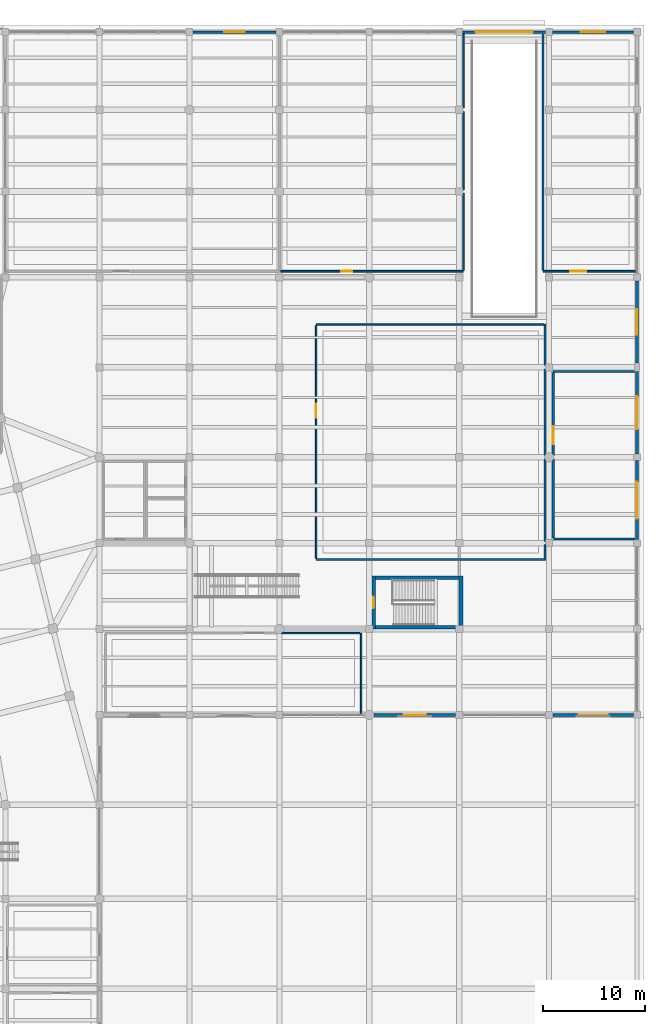
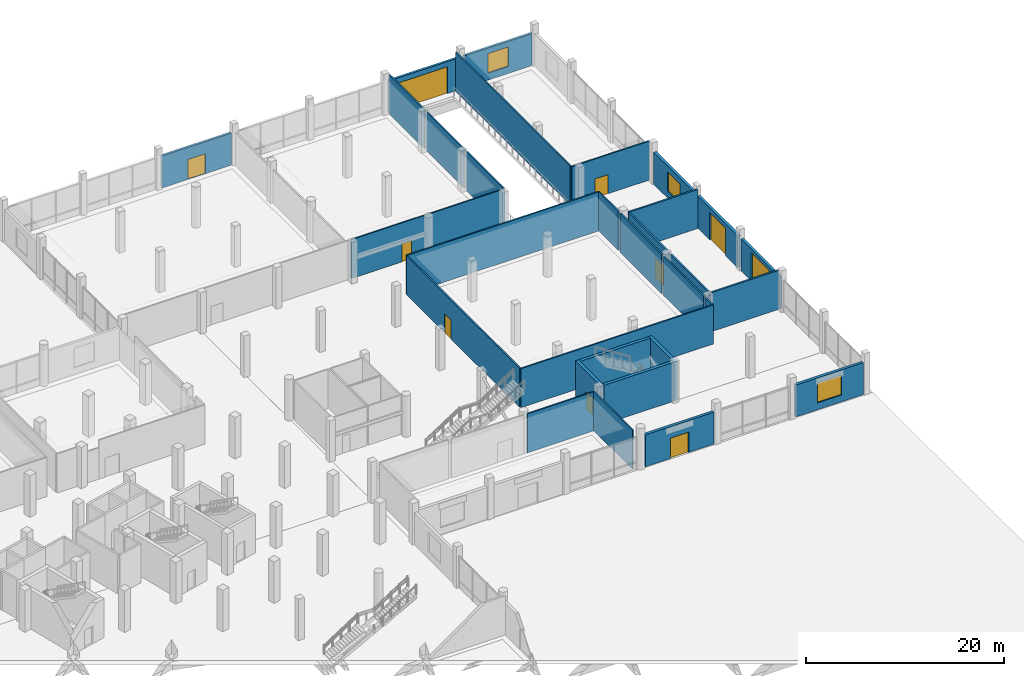
# One storey, part 64 of 73: 31 walls, 10 doors, 3 windows, 13 openings.
"""IFC4 building model written with IfcOpenShell, lengths in metres."""

from ifc_helpers import new_model, si_unit, direction, frame, frame_2d, origin, place, context, subcontext, project, spatial, rectangle, extrude, material, layer, layer_set, type_object, element, fill, save


model = new_model("IFC4")

# Units and contexts
model_context = context("Model", 3, precision=1e-05, world=origin(), true_north=direction((0.0, 1.0)))
body_context = subcontext(model_context, "Body", "Model", "MODEL_VIEW")
ifc_project = project(units=[si_unit("LENGTHUNIT", "METRE"), si_unit("AREAUNIT", "SQUARE_METRE"), si_unit("VOLUMEUNIT", "CUBIC_METRE"), si_unit("PLANEANGLEUNIT", "RADIAN"), si_unit("MASSUNIT", "GRAM", prefix="KILO")], contexts=[model_context])

# Site, building, storey
site_placement = place(None, origin())
site = spatial("IfcSite", under=ifc_project, at=site_placement, CompositionType="ELEMENT")
building_placement = place(site_placement, origin())
building = spatial("IfcBuilding", under=site, at=building_placement, Name="Meriwether Solvik Hall", CompositionType="ELEMENT")
storey_placement = place(building_placement, origin())
storey = spatial("IfcBuildingStorey", under=building, at=storey_placement, Name="L00", CompositionType="ELEMENT", Elevation=0.0)

# Walls
ifc_material_1 = material(Name="Double-Layer Acoustic Gypsum Board", Category="gypsum")
ifc_layer_1 = layer(ifc_material_1, 0.1650390625)
ifc_layer_set_1 = layer_set([ifc_layer_1], Name="Double-Layer Acoustic Gypsum Board")
wall_type_1 = type_object("IfcWallType", Name="WALL-DEM-165", PredefinedType="PARTITIONING", material=ifc_layer_set_1)
wall_1_placement = place(storey_placement, frame((135.39990234375, 65.199951171875, 0.0), z_axis=(0.0, 0.0, 1.0), x_axis=(1.0, 0.0, 0.0)))
element("IfcWall", 1, at=wall_1_placement, inside=storey, type_object=wall_type_1, Name="L00 Interior Partition av_ctrl_s", PredefinedType="PARTITIONING", context=body_context, shape_type="SweptSolid", body=[
    extrude(rectangle(XDim=22.400146484375, YDim=0.1650390625, at=frame_2d((11.2001953125, 0.0))), origin(), (0.0, 0.0, 1.0), 4.800048828125),
])
wall_2_placement = place(storey_placement, frame((157.800048828125, 65.320068359375, 0.0), z_axis=(0.0, 0.0, 1.0), x_axis=(0.0, 1.0, 0.0)))
element("IfcWall", 2, at=wall_2_placement, inside=storey, type_object=wall_type_1, Name="L00 Interior Partition av_ctrl_e", PredefinedType="PARTITIONING", context=body_context, shape_type="SweptSolid", body=[
    extrude(rectangle(XDim=1.29931640625, YDim=0.1650390625, at=frame_2d((0.649658203125, 0.0))), origin(), (0.0, 0.0, 1.0), 4.800048828125),
])
wall_3_placement = place(storey_placement, frame((157.800048828125, 66.98046875, 0.0), z_axis=(0.0, 0.0, 1.0), x_axis=(0.0, 1.0, 0.0)))
element("IfcWall", 3, at=wall_3_placement, inside=storey, type_object=wall_type_1, Name="L00 Interior Partition av_ctrl_e_s2", PredefinedType="PARTITIONING", context=body_context, shape_type="SweptSolid", body=[
    extrude(rectangle(XDim=8.0390625, YDim=0.1650390625, at=frame_2d((4.01953125, 0.0))), origin(), (0.0, 0.0, 1.0), 4.800048828125),
])
wall_4_placement = place(storey_placement, frame((157.800048828125, 75.380615234375, 0.0), z_axis=(0.0, 0.0, 1.0), x_axis=(0.0, 1.0, 0.0)))
element("IfcWall", 4, at=wall_4_placement, inside=storey, type_object=wall_type_1, Name="L00 Interior Partition av_ctrl_e_s3", PredefinedType="PARTITIONING", context=body_context, shape_type="SweptSolid", body=[
    extrude(rectangle(XDim=8.438720703125, YDim=0.1650390625, at=frame_2d((4.21923828125, 0.0))), origin(), (0.0, 0.0, 1.0), 4.800048828125),
])
wall_5_placement = place(storey_placement, frame((157.800048828125, 84.1806640625, 0.0), z_axis=(0.0, 0.0, 1.0), x_axis=(0.0, 1.0, 0.0)))
element("IfcWall", 5, at=wall_5_placement, inside=storey, type_object=wall_type_1, Name="L00 Interior Partition av_ctrl_e_s4", PredefinedType="PARTITIONING", context=body_context, shape_type="SweptSolid", body=[
    extrude(rectangle(XDim=4.019287109375, YDim=0.1650390625, at=frame_2d((2.009765625, 0.0))), origin(), (0.0, 0.0, 1.0), 4.800048828125),
])
wall_6_placement = place(storey_placement, frame((157.679931640625, 88.199951171875, 0.0), z_axis=(0.0, 0.0, 1.0), x_axis=(-1.0, 0.0, 0.0)))
element("IfcWall", 6, at=wall_6_placement, inside=storey, type_object=wall_type_1, Name="L00 Interior Partition av_ctrl_n", PredefinedType="PARTITIONING", context=body_context, shape_type="SweptSolid", body=[
    extrude(rectangle(XDim=22.280029296875, YDim=0.1650390625, at=frame_2d((11.14013671875, 0.0))), origin(), (0.0, 0.0, 1.0), 4.800048828125),
])

# Wall, opening, door
wall_7_placement = place(storey_placement, frame((135.39990234375, 88.080078125, 0.0), z_axis=(0.0, 0.0, 1.0), x_axis=(0.0, -1.0, 0.0)))
wall_7 = element("IfcWall", 7, at=wall_7_placement, inside=storey, type_object=wall_type_1, Name="L00 Interior Partition av_ctrl_w", PredefinedType="PARTITIONING", context=body_context, shape_type="SweptSolid", body=[
    extrude(rectangle(XDim=22.760009765625, YDim=0.1650390625, at=frame_2d((11.3798828125, 0.0))), origin(), (0.0, 0.0, 1.0), 4.800048828125),
])
opening_1_placement = place(wall_7_placement, frame((7.644287109375, 0.0, 0.0)))
opening_1 = element("IfcOpeningElement", 8, at=opening_1_placement, cuts=wall_7, Name="Opening D-190", PredefinedType="OPENING", context=body_context, shape_type="SweptSolid", body=[
    extrude(rectangle(XDim=1.35009765625, YDim=2.35009765625, at=frame_2d((0.675048828125, 1.175048828125))), frame((0.0, 0.094482421875, 0.0), z_axis=(0.0, -1.0, 0.0), x_axis=(1.0, 0.0, 0.0)), (0.0, 0.0, 1.0), 0.18896484375),
])
ifc_material_2 = material(Name="Laminated Vision Glass and Solid White Oak Timber", Category="wood")
door_type_1 = type_object("IfcDoorType", Name="DR-LAB-1350L", OperationType="SINGLE_SWING_LEFT", PredefinedType="DOOR", material=ifc_material_2)
door_1_placement = place(opening_1_placement, origin())
door_1 = element("IfcDoor", 9, at=door_1_placement, inside=storey, type_object=door_type_1, Name="Civic Broadcast and Media Production Suite Door", OperationType="SINGLE_SWING_LEFT", OverallHeight=2.35009765625, OverallWidth=1.35009765625, PredefinedType="DOOR", context=body_context, shape_type="SweptSolid", body=[
    extrude(rectangle(XDim=1.35009765625, YDim=2.35009765625, at=frame_2d((0.675048828125, 1.175048828125))), frame((0.0, 0.02490234375, 0.0), z_axis=(0.0, -1.0, 0.0), x_axis=(1.0, 0.0, 0.0)), (0.0, 0.0, 1.0), 0.050048828125),
])
fill(opening_1, door_1)

wall_8_placement = place(storey_placement, frame((157.60009765625, 93.39990234375, 0.0), z_axis=(0.0, 0.0, 1.0), x_axis=(1.0, 0.0, 0.0)))
wall_8 = element("IfcWall", 10, at=wall_8_placement, inside=storey, type_object=wall_type_1, Name="L00 Interior Partition fab_l00_s", PredefinedType="PARTITIONING", context=body_context, shape_type="SweptSolid", body=[
    extrude(rectangle(XDim=9.0498046875, YDim=0.1650390625, at=frame_2d((4.52490234375, 0.0))), origin(), (0.0, 0.0, 1.0), 4.800048828125),
])
opening_2_placement = place(wall_8_placement, frame((2.683349609375, 0.0, 0.0)))
opening_2 = element("IfcOpeningElement", 11, at=opening_2_placement, cuts=wall_8, Name="Opening D-169", PredefinedType="OPENING", context=body_context, shape_type="SweptSolid", body=[
    extrude(rectangle(XDim=1.550048828125, YDim=2.35009765625, at=frame_2d((0.77490234375, 1.175048828125))), frame((0.0, 0.094482421875, 0.0), z_axis=(0.0, -1.0, 0.0), x_axis=(1.0, 0.0, 0.0)), (0.0, 0.0, 1.0), 0.18896484375),
])
ifc_material_3 = material(Name="Laminated Vision Glass and Solid White Oak Timber", Category="wood")
door_type_2 = type_object("IfcDoorType", Name="DR-MKR-1550", OperationType="DOUBLE_DOOR_SINGLE_SWING", PredefinedType="DOOR", material=ifc_material_3)
door_2_placement = place(opening_2_placement, origin())
door_2 = element("IfcDoor", 12, at=door_2_placement, inside=storey, type_object=door_type_2, Name="Digital Maker Workshop Door", OperationType="DOUBLE_DOOR_SINGLE_SWING", OverallHeight=2.35009765625, OverallWidth=1.550048828125, PredefinedType="DOOR", context=body_context, shape_type="SweptSolid", body=[
    extrude(rectangle(XDim=1.550048828125, YDim=2.35009765625, at=frame_2d((0.77490234375, 1.175048828125))), frame((0.0, 0.02490234375, 0.0), z_axis=(0.0, -1.0, 0.0), x_axis=(1.0, 0.0, 0.0)), (0.0, 0.0, 1.0), 0.050048828125),
])
fill(opening_2, door_2)

# Wall
wall_9_placement = place(storey_placement, frame((157.60009765625, 116.64990234375, 0.0), z_axis=(0.0, 0.0, 1.0), x_axis=(0.0, -1.0, 0.0)))
element("IfcWall", 13, at=wall_9_placement, inside=storey, type_object=wall_type_1, Name="L00 Interior Partition fab_l00_w", PredefinedType="PARTITIONING", context=body_context, shape_type="SweptSolid", body=[
    extrude(rectangle(XDim=23.1298828125, YDim=0.1650390625, at=frame_2d((11.56494140625, 0.0))), origin(), (0.0, 0.0, 1.0), 4.800048828125),
])

# Wall, opening, door
ifc_material_4 = material(Name="Terracotta Cladding on Concrete C40/50", Category="masonry")
ifc_layer_2 = layer(ifc_material_4, 0.2548828125)
ifc_layer_set_2 = layer_set([ifc_layer_2], Name="Terracotta Cladding on Concrete C40/50")
wall_type_2 = type_object("IfcWallType", Name="WALL-EXT-255", PredefinedType="SOLIDWALL", material=ifc_layer_set_2)
wall_10_placement = place(storey_placement, frame((123.3369140625, 116.800048828125, 0.0), z_axis=(0.0, 0.0, 1.0), x_axis=(1.0, 0.0, 0.0)))
wall_10 = element("IfcWall", 14, at=wall_10_placement, inside=storey, type_object=wall_type_2, Name="L00 N Wing Facade Wall XN_14_31", PredefinedType="SOLIDWALL", context=body_context, shape_type="SweptSolid", body=[
    extrude(rectangle(XDim=8.1259765625, YDim=0.2548828125, at=frame_2d((4.06298828125, 0.0))), origin(), (0.0, 0.0, 1.0), 3.93994140625),
])
opening_3_placement = place(wall_10_placement, frame((3.06298828125, 0.0, 0.0)))
opening_3 = element("IfcOpeningElement", 15, at=opening_3_placement, cuts=wall_10, Name="Opening D-138", PredefinedType="OPENING", context=body_context, shape_type="SweptSolid", body=[
    extrude(rectangle(XDim=2.0, YDim=2.449951171875, at=frame_2d((1.0, 1.22509765625))), frame((0.0, 0.139404296875, 0.0), z_axis=(0.0, -1.0, 0.0), x_axis=(1.0, 0.0, 0.0)), (0.0, 0.0, 1.0), 0.27880859375),
])
ifc_material_5 = material(Name="Thermally Broken Anodised Aluminium and Laminated Glass", Category="aluminium")
door_type_3 = type_object("IfcDoorType", Name="DR-EXT-EXIT-2000", OperationType="DOUBLE_DOOR_SINGLE_SWING", PredefinedType="DOOR", material=ifc_material_5)
door_3_placement = place(opening_3_placement, origin())
door_3 = element("IfcDoor", 16, at=door_3_placement, inside=storey, type_object=door_type_3, Name="North Youth Wing Street Exit Door", OperationType="DOUBLE_DOOR_SINGLE_SWING", OverallHeight=2.449951171875, OverallWidth=2.0, PredefinedType="DOOR", context=body_context, shape_type="SweptSolid", body=[
    extrude(rectangle(XDim=2.0, YDim=2.449951171875, at=frame_2d((1.0, 1.22509765625))), frame((0.0, 0.02490234375, 0.0), z_axis=(0.0, -1.0, 0.0), x_axis=(1.0, 0.0, 0.0)), (0.0, 0.0, 1.0), 0.050048828125),
])
fill(opening_3, door_3)

wall_11_placement = place(storey_placement, frame((149.737060546875, 116.800048828125, 0.0), z_axis=(0.0, 0.0, 1.0), x_axis=(1.0, 0.0, 0.0)))
wall_11 = element("IfcWall", 17, at=wall_11_placement, inside=storey, type_object=wall_type_2, Name="L00 N Wing Facade Wall XN_17_34", PredefinedType="SOLIDWALL", context=body_context, shape_type="SweptSolid", body=[
    extrude(rectangle(XDim=8.1259765625, YDim=0.2548828125, at=frame_2d((4.06298828125, 0.0))), origin(), (0.0, 0.0, 1.0), 3.93994140625),
])
opening_4_placement = place(wall_11_placement, frame((1.262939453125, 0.0, 0.0)))
opening_4 = element("IfcOpeningElement", 18, at=opening_4_placement, cuts=wall_11, Name="Opening D-123", PredefinedType="OPENING", context=body_context, shape_type="SweptSolid", body=[
    extrude(rectangle(XDim=5.60009765625, YDim=3.300048828125, at=frame_2d((2.800048828125, 1.64990234375))), frame((0.0, 0.139404296875, 0.0), z_axis=(0.0, -1.0, 0.0), x_axis=(1.0, 0.0, 0.0)), (0.0, 0.0, 1.0), 0.27880859375),
])
ifc_material_6 = material(Name="Steel A36 Galvanised", Category="steel")
door_type_4 = type_object("IfcDoorType", Name="DR-VEH-GATE-5600", OperationType="ROLLINGUP", PredefinedType="DOOR", material=ifc_material_6)
door_4_placement = place(opening_4_placement, origin())
door_4 = element("IfcDoor", 19, at=door_4_placement, inside=storey, type_object=door_type_4, Name="Basement Vehicle Ramp North Street Gate", OperationType="ROLLINGUP", OverallHeight=3.300048828125, OverallWidth=5.60009765625, PredefinedType="DOOR", context=body_context, shape_type="SweptSolid", body=[
    extrude(rectangle(XDim=5.60009765625, YDim=3.300048828125, at=frame_2d((2.800048828125, 1.64990234375))), frame((0.0, 0.02490234375, 0.0), z_axis=(0.0, -1.0, 0.0), x_axis=(1.0, 0.0, 0.0)), (0.0, 0.0, 1.0), 0.050048828125),
])
fill(opening_4, door_4)

# Wall, opening, window
wall_12_placement = place(storey_placement, frame((158.537109375, 116.800048828125, 0.0), z_axis=(0.0, 0.0, 1.0), x_axis=(1.0, 0.0, 0.0)))
wall_12 = element("IfcWall", 20, at=wall_12_placement, inside=storey, type_object=wall_type_2, Name="L00 N Wing Facade Wall XN_18_35", PredefinedType="SOLIDWALL", context=body_context, shape_type="SweptSolid", body=[
    extrude(rectangle(XDim=7.92578125, YDim=0.2548828125, at=frame_2d((3.962890625, 0.0))), origin(), (0.0, 0.0, 1.0), 3.93994140625),
])
opening_5_placement = place(wall_12_placement, frame((2.762939453125, 0.0, 0.85009765625)))
opening_5 = element("IfcOpeningElement", 21, at=opening_5_placement, cuts=wall_12, Name="Opening WN-105", PredefinedType="OPENING", context=body_context, shape_type="SweptSolid", body=[
    extrude(rectangle(XDim=2.39990234375, YDim=2.39990234375, at=frame_2d((1.199951171875, 1.199951171875))), frame((0.0, 0.139404296875, 0.0), z_axis=(0.0, -1.0, 0.0), x_axis=(1.0, 0.0, 0.0)), (0.0, 0.0, 1.0), 0.27880859375),
])
ifc_material_7 = material(Name="Thermally Broken Anodised Aluminium and Triple Low-E Glass", Category="aluminium")
window_type_1 = type_object("IfcWindowType", Name="WIN-POD-NORTH-240X240", PartitioningType="SINGLE_PANEL", PredefinedType="WINDOW", material=ifc_material_7)
window_1_placement = place(opening_5_placement, origin())
window_1 = element("IfcWindow", 22, at=window_1_placement, inside=storey, type_object=window_type_1, Name="L00 N Window XN_18_35", OverallHeight=2.39990234375, OverallWidth=2.39990234375, PartitioningType="SINGLE_PANEL", PredefinedType="WINDOW", context=body_context, shape_type="SweptSolid", body=[
    extrude(rectangle(XDim=2.39990234375, YDim=2.39990234375, at=frame_2d((1.199951171875, 1.199951171875))), frame((0.0, 0.030029296875, 0.0), z_axis=(0.0, -1.0, 0.0), x_axis=(1.0, 0.0, 0.0)), (0.0, 0.0, 1.0), 0.06005859375),
])
fill(opening_5, window_1)

# Wall, opening, door
ifc_material_8 = material(Name="Concrete C40/50 Precast", Category="concrete")
ifc_layer_3 = layer(ifc_material_8, 0.31494140625)
ifc_layer_set_3 = layer_set([ifc_layer_3], Name="Concrete C40/50 Precast")
wall_type_3 = type_object("IfcWallType", Name="WALL-EXT-315", PredefinedType="SOLIDWALL", material=ifc_layer_set_3)
wall_13_placement = place(storey_placement, frame((149.0380859375, 50.0, 0.0), z_axis=(0.0, 0.0, 1.0), x_axis=(-1.0, 0.0, 0.0)))
wall_13 = element("IfcWall", 23, at=wall_13_placement, inside=storey, type_object=wall_type_3, Name="L00 S Wing Facade Wall XF_16_15", PredefinedType="SOLIDWALL", context=body_context, shape_type="SweptSolid", body=[
    extrude(rectangle(XDim=7.97607421875, YDim=0.31494140625, at=frame_2d((3.988037109375, 0.0))), origin(), (0.0, 0.0, 1.0), 3.93994140625),
])
opening_6_placement = place(wall_13_placement, frame((2.9130859375, 0.0, 0.0)))
opening_6 = element("IfcOpeningElement", 24, at=opening_6_placement, cuts=wall_13, Name="Opening D-136", PredefinedType="OPENING", context=body_context, shape_type="SweptSolid", body=[
    extrude(rectangle(XDim=2.14990234375, YDim=2.5, at=frame_2d((1.074951171875, 1.25))), frame((0.0, 0.16943359375, 0.0), z_axis=(0.0, -1.0, 0.0), x_axis=(1.0, 0.0, 0.0)), (0.0, 0.0, 1.0), 0.3388671875),
])
ifc_material_9 = material(Name="Thermally Broken Anodised Aluminium and Laminated Glass", Category="aluminium")
door_type_5 = type_object("IfcDoorType", Name="DR-EXT-EXIT-2150", OperationType="DOUBLE_DOOR_SINGLE_SWING", PredefinedType="DOOR", material=ifc_material_9)
door_5_placement = place(opening_6_placement, origin())
door_5 = element("IfcDoor", 25, at=door_5_placement, inside=storey, type_object=door_type_5, Name="Southeast Forecourt Reading Exit Door", OperationType="DOUBLE_DOOR_SINGLE_SWING", OverallHeight=2.5, OverallWidth=2.14990234375, PredefinedType="DOOR", context=body_context, shape_type="SweptSolid", body=[
    extrude(rectangle(XDim=2.14990234375, YDim=2.5, at=frame_2d((1.074951171875, 1.25))), frame((0.0, 0.02490234375, 0.0), z_axis=(0.0, -1.0, 0.0), x_axis=(1.0, 0.0, 0.0)), (0.0, 0.0, 1.0), 0.050048828125),
])
fill(opening_6, door_5)

# Wall, opening, window
wall_14_placement = place(storey_placement, frame((166.462890625, 50.0, 0.0), z_axis=(0.0, 0.0, 1.0), x_axis=(-1.0, 0.0, 0.0)))
wall_14 = element("IfcWall", 26, at=wall_14_placement, inside=storey, type_object=wall_type_3, Name="L00 S Wing Facade Wall XF_18_17", PredefinedType="SOLIDWALL", context=body_context, shape_type="SweptSolid", body=[
    extrude(rectangle(XDim=7.90087890625, YDim=0.31494140625, at=frame_2d((3.950439453125, 0.0))), origin(), (0.0, 0.0, 1.0), 3.93994140625),
])
opening_7_placement = place(wall_14_placement, frame((2.550537109375, 0.0, 0.85009765625)))
opening_7 = element("IfcOpeningElement", 27, at=opening_7_placement, cuts=wall_14, Name="Opening WN-165", PredefinedType="OPENING", context=body_context, shape_type="SweptSolid", body=[
    extrude(rectangle(XDim=2.800048828125, YDim=2.449951171875, at=frame_2d((1.39990234375, 1.22509765625))), frame((0.0, 0.16943359375, 0.0), z_axis=(0.0, -1.0, 0.0), x_axis=(1.0, 0.0, 0.0)), (0.0, 0.0, 1.0), 0.3388671875),
])
ifc_material_10 = material(Name="Thermally Broken Anodised Aluminium and Triple Low-E Glass", Category="aluminium")
window_type_2 = type_object("IfcWindowType", Name="WIN-POD-SOUTH-280X245", PartitioningType="SINGLE_PANEL", PredefinedType="WINDOW", material=ifc_material_10)
window_2_placement = place(opening_7_placement, origin())
window_2 = element("IfcWindow", 28, at=window_2_placement, inside=storey, type_object=window_type_2, Name="L00 S Window XF_18_17", OverallHeight=2.449951171875, OverallWidth=2.800048828125, PartitioningType="SINGLE_PANEL", PredefinedType="WINDOW", context=body_context, shape_type="SweptSolid", body=[
    extrude(rectangle(XDim=2.800048828125, YDim=2.449951171875, at=frame_2d((1.39990234375, 1.22509765625))), frame((0.0, 0.030029296875, 0.0), z_axis=(0.0, -1.0, 0.0), x_axis=(1.0, 0.0, 0.0)), (0.0, 0.0, 1.0), 0.06005859375),
])
fill(opening_7, window_2)

# Wall, opening, door
wall_15_placement = place(storey_placement, frame((166.800048828125, 74.863037109375, 0.0), z_axis=(0.0, 0.0, 1.0), x_axis=(0.0, -1.0, 0.0)))
wall_15 = element("IfcWall", 29, at=wall_15_placement, inside=storey, type_object=wall_type_3, Name="L00 E Wing Facade Wall Y19_8_66", PredefinedType="SOLIDWALL", context=body_context, shape_type="SweptSolid", body=[
    extrude(rectangle(XDim=7.72607421875, YDim=0.31494140625, at=frame_2d((3.863037109375, 0.0))), origin(), (0.0, 0.0, 1.0), 3.93994140625),
])
opening_8_placement = place(wall_15_placement, frame((2.06298828125, 0.0, 0.0)))
opening_8 = element("IfcOpeningElement", 30, at=opening_8_placement, cuts=wall_15, Name="Opening D-135", PredefinedType="OPENING", context=body_context, shape_type="SweptSolid", body=[
    extrude(rectangle(XDim=3.60009765625, YDim=3.5, at=frame_2d((1.800048828125, 1.75))), frame((0.0, 0.16943359375, 0.0), z_axis=(0.0, -1.0, 0.0), x_axis=(1.0, 0.0, 0.0)), (0.0, 0.0, 1.0), 0.3388671875),
])
ifc_material_11 = material(Name="Steel A36 Galvanised", Category="steel")
door_type_6 = type_object("IfcDoorType", Name="DR-LOAD-ROLL-3600", OperationType="ROLLINGUP", PredefinedType="DOOR", material=ifc_material_11)
door_6_placement = place(opening_8_placement, origin())
door_6 = element("IfcDoor", 31, at=door_6_placement, inside=storey, type_object=door_type_6, Name="Freight Loading Bay Door 1", OperationType="ROLLINGUP", OverallHeight=3.5, OverallWidth=3.60009765625, PredefinedType="DOOR", context=body_context, shape_type="SweptSolid", body=[
    extrude(rectangle(XDim=3.60009765625, YDim=3.5, at=frame_2d((1.800048828125, 1.75))), frame((0.0, 0.02490234375, 0.0), z_axis=(0.0, -1.0, 0.0), x_axis=(1.0, 0.0, 0.0)), (0.0, 0.0, 1.0), 0.050048828125),
])
fill(opening_8, door_6)

wall_16_placement = place(storey_placement, frame((166.800048828125, 83.587890625, 0.0), z_axis=(0.0, 0.0, 1.0), x_axis=(0.0, -1.0, 0.0)))
wall_16 = element("IfcWall", 32, at=wall_16_placement, inside=storey, type_object=wall_type_3, Name="L00 E Wing Facade Wall Y19_9_67", PredefinedType="SOLIDWALL", context=body_context, shape_type="SweptSolid", body=[
    extrude(rectangle(XDim=8.05078125, YDim=0.31494140625, at=frame_2d((4.025390625, 0.0))), origin(), (0.0, 0.0, 1.0), 3.93994140625),
])
opening_9_placement = place(wall_16_placement, frame((2.425537109375, 0.0, 0.0)))
opening_9 = element("IfcOpeningElement", 33, at=opening_9_placement, cuts=wall_16, Name="Opening D-130", PredefinedType="OPENING", context=body_context, shape_type="SweptSolid", body=[
    extrude(rectangle(XDim=3.199951171875, YDim=3.35009765625, at=frame_2d((1.60009765625, 1.675048828125))), frame((0.0, 0.16943359375, 0.0), z_axis=(0.0, -1.0, 0.0), x_axis=(1.0, 0.0, 0.0)), (0.0, 0.0, 1.0), 0.3388671875),
])
ifc_material_12 = material(Name="Steel A36 Galvanised", Category="steel")
door_type_7 = type_object("IfcDoorType", Name="DR-LOAD-ROLL-3200", OperationType="ROLLINGUP", PredefinedType="DOOR", material=ifc_material_12)
door_7_placement = place(opening_9_placement, origin())
door_7 = element("IfcDoor", 34, at=door_7_placement, inside=storey, type_object=door_type_7, Name="Freight Loading Bay Door 2", OperationType="ROLLINGUP", OverallHeight=3.35009765625, OverallWidth=3.199951171875, PredefinedType="DOOR", context=body_context, shape_type="SweptSolid", body=[
    extrude(rectangle(XDim=3.199951171875, YDim=3.35009765625, at=frame_2d((1.60009765625, 1.675048828125))), frame((0.0, 0.02490234375, 0.0), z_axis=(0.0, -1.0, 0.0), x_axis=(1.0, 0.0, 0.0)), (0.0, 0.0, 1.0), 0.050048828125),
])
fill(opening_9, door_7)

# Wall, opening, window
wall_17_placement = place(storey_placement, frame((166.800048828125, 92.462890625, 0.0), z_axis=(0.0, 0.0, 1.0), x_axis=(0.0, -1.0, 0.0)))
wall_17 = element("IfcWall", 35, at=wall_17_placement, inside=storey, type_object=wall_type_3, Name="L00 E Wing Facade Wall Y19_10_68", PredefinedType="SOLIDWALL", context=body_context, shape_type="SweptSolid", body=[
    extrude(rectangle(XDim=8.05078125, YDim=0.31494140625, at=frame_2d((4.025390625, 0.0))), origin(), (0.0, 0.0, 1.0), 3.93994140625),
])
opening_10_placement = place(wall_17_placement, frame((2.775390625, 0.0, 0.85009765625)))
opening_10 = element("IfcOpeningElement", 36, at=opening_10_placement, cuts=wall_17, Name="Opening WN-144", PredefinedType="OPENING", context=body_context, shape_type="SweptSolid", body=[
    extrude(rectangle(XDim=2.5, YDim=2.39990234375, at=frame_2d((1.25, 1.199951171875))), frame((0.0, 0.16943359375, 0.0), z_axis=(0.0, -1.0, 0.0), x_axis=(1.0, 0.0, 0.0)), (0.0, 0.0, 1.0), 0.3388671875),
])
ifc_material_13 = material(Name="Thermally Broken Anodised Aluminium and Triple Low-E Glass", Category="aluminium")
window_type_3 = type_object("IfcWindowType", Name="WIN-POD-EAST-250X240", PartitioningType="SINGLE_PANEL", PredefinedType="WINDOW", material=ifc_material_13)
window_3_placement = place(opening_10_placement, origin())
window_3 = element("IfcWindow", 37, at=window_3_placement, inside=storey, type_object=window_type_3, Name="L00 E Window Y19_10_68", OverallHeight=2.39990234375, OverallWidth=2.5, PartitioningType="SINGLE_PANEL", PredefinedType="WINDOW", context=body_context, shape_type="SweptSolid", body=[
    extrude(rectangle(XDim=2.5, YDim=2.39990234375, at=frame_2d((1.25, 1.199951171875))), frame((0.0, 0.030029296875, 0.0), z_axis=(0.0, -1.0, 0.0), x_axis=(1.0, 0.0, 0.0)), (0.0, 0.0, 1.0), 0.06005859375),
])
fill(opening_10, window_3)

# Walls
ifc_material_14 = material(Name="Fire-Rated Type X Gypsum Board", Category="gypsum")
ifc_layer_4 = layer(ifc_material_14, 0.199951171875)
ifc_layer_set_4 = layer_set([ifc_layer_4], Name="Fire-Rated Type X Gypsum Board")
wall_type_4 = type_object("IfcWallType", Name="WALL-FIRE-200", PredefinedType="STANDARD", material=ifc_layer_set_4)
for number, where, z_axis, x_axis, name in (
    (38, (158.60009765625, 67.199951171875, 0.0), (0.0, 0.0, 1.0), (1.0, 0.0, 0.0), "L00 Interior Partition loading_s"),
    (39, (166.619384765625, 83.60009765625, 0.0), (0.0, 0.0, 1.0), (-1.0, 0.0, 0.0), "L00 Interior Partition loading_n"),
):
    element("IfcWall", number, at=place(storey_placement, frame(where, z_axis=z_axis, x_axis=x_axis)), inside=storey, type_object=wall_type_4, Name=name, PredefinedType="STANDARD", context=body_context, shape_type="SweptSolid", body=[
        extrude(rectangle(XDim=8.019287109375, YDim=0.199951171875, at=frame_2d((4.009765625, 0.0))), origin(), (0.0, 0.0, 1.0), 4.800048828125),
    ])

# Wall, opening, door
wall_18_placement = place(storey_placement, frame((158.60009765625, 83.47998046875, 0.0), z_axis=(0.0, 0.0, 1.0), x_axis=(0.0, -1.0, 0.0)))
wall_18 = element("IfcWall", 40, at=wall_18_placement, inside=storey, type_object=wall_type_4, Name="L00 Interior Partition loading_w", PredefinedType="STANDARD", context=body_context, shape_type="SweptSolid", body=[
    extrude(rectangle(XDim=8.099365234375, YDim=0.199951171875, at=frame_2d((4.0498046875, 0.0))), origin(), (0.0, 0.0, 1.0), 4.800048828125),
])
opening_11_placement = place(wall_18_placement, frame((5.238037109375, 0.0, 0.0)))
opening_11 = element("IfcOpeningElement", 41, at=opening_11_placement, cuts=wall_18, Name="Opening D-159", PredefinedType="OPENING", context=body_context, shape_type="SweptSolid", body=[
    extrude(rectangle(XDim=1.75, YDim=2.39990234375, at=frame_2d((0.875, 1.199951171875))), frame((0.0, 0.11181640625, 0.0), z_axis=(0.0, -1.0, 0.0), x_axis=(1.0, 0.0, 0.0)), (0.0, 0.0, 1.0), 0.223876953125),
])
ifc_material_15 = material(Name="Steel A36 Galvanised", Category="steel")
door_type_8 = type_object("IfcDoorType", Name="DR-FD90-1750", OperationType="DOUBLE_DOOR_SINGLE_SWING", PredefinedType="DOOR", material=ifc_material_15)
door_8_placement = place(opening_11_placement, origin())
door_8 = element("IfcDoor", 42, at=door_8_placement, inside=storey, type_object=door_type_8, Name="Freight Loading and Receiving Dock Door", OperationType="DOUBLE_DOOR_SINGLE_SWING", OverallHeight=2.39990234375, OverallWidth=1.75, PredefinedType="DOOR", context=body_context, shape_type="SweptSolid", body=[
    extrude(rectangle(XDim=1.75, YDim=2.39990234375, at=frame_2d((0.875, 1.199951171875))), frame((0.0, 0.02490234375, 0.0), z_axis=(0.0, -1.0, 0.0), x_axis=(1.0, 0.0, 0.0)), (0.0, 0.0, 1.0), 0.050048828125),
])
fill(opening_11, door_8)

# Walls
wall_19_placement = place(storey_placement, frame((158.60009765625, 75.01953125, 0.0), z_axis=(0.0, 0.0, 1.0), x_axis=(0.0, -1.0, 0.0)))
element("IfcWall", 43, at=wall_19_placement, inside=storey, type_object=wall_type_4, Name="L00 Interior Partition loading_w_s2", PredefinedType="STANDARD", context=body_context, shape_type="SweptSolid", body=[
    extrude(rectangle(XDim=7.699462890625, YDim=0.199951171875, at=frame_2d((3.849609375, 0.0))), origin(), (0.0, 0.0, 1.0), 4.800048828125),
])
ifc_material_16 = material(Name="Gypsum Board Partition", Category="gypsum")
ifc_layer_5 = layer(ifc_material_16, 0.14990234375)
ifc_layer_set_5 = layer_set([ifc_layer_5], Name="Gypsum Board Partition")
wall_type_5 = type_object("IfcWallType", Name="WALL-PART-150", PredefinedType="PARTITIONING", material=ifc_layer_set_5)
wall_20_placement = place(storey_placement, frame((139.800048828125, 50.14990234375, 0.0), z_axis=(0.0, 0.0, 1.0), x_axis=(0.0, 1.0, 0.0)))
element("IfcWall", 44, at=wall_20_placement, inside=storey, type_object=wall_type_5, Name="L00 Interior Partition book_circ_e", PredefinedType="PARTITIONING", context=body_context, shape_type="SweptSolid", body=[
    extrude(rectangle(XDim=7.85009765625, YDim=0.14990234375, at=frame_2d((3.925048828125, 0.0))), origin(), (0.0, 0.0, 1.0), 4.800048828125),
])
wall_21_placement = place(storey_placement, frame((139.679931640625, 58.0, 0.0), z_axis=(0.0, 0.0, 1.0), x_axis=(-1.0, 0.0, 0.0)))
element("IfcWall", 45, at=wall_21_placement, inside=storey, type_object=wall_type_5, Name="L00 Interior Partition book_circ_n", PredefinedType="PARTITIONING", context=body_context, shape_type="SweptSolid", body=[
    extrude(rectangle(XDim=7.699462890625, YDim=0.14990234375, at=frame_2d((3.849609375, 0.0))), origin(), (0.0, 0.0, 1.0), 4.800048828125),
])

# Wall, opening, door
wall_22_placement = place(storey_placement, frame((131.919921875, 93.39990234375, 0.0), z_axis=(0.0, 0.0, 1.0), x_axis=(1.0, 0.0, 0.0)))
wall_22 = element("IfcWall", 46, at=wall_22_placement, inside=storey, type_object=wall_type_5, Name="L00 Interior Partition teen_tut_s", PredefinedType="PARTITIONING", context=body_context, shape_type="SweptSolid", body=[
    extrude(rectangle(XDim=17.880126953125, YDim=0.14990234375, at=frame_2d((8.93994140625, 0.0))), origin(), (0.0, 0.0, 1.0), 4.800048828125),
])
opening_12_placement = place(wall_22_placement, frame((5.916015625, 0.0, 0.0)))
opening_12 = element("IfcOpeningElement", 47, at=opening_12_placement, cuts=wall_22, Name="Opening D-134", PredefinedType="OPENING", context=body_context, shape_type="SweptSolid", body=[
    extrude(rectangle(XDim=1.10009765625, YDim=2.25, at=frame_2d((0.550048828125, 1.125))), frame((0.0, 0.0869140625, 0.0), z_axis=(0.0, -1.0, 0.0), x_axis=(1.0, 0.0, 0.0)), (0.0, 0.0, 1.0), 0.173828125),
])
ifc_material_17 = material(Name="Laminated Vision Glass and Solid White Oak Timber", Category="wood")
door_type_9 = type_object("IfcDoorType", Name="DR-CLS-1100L", OperationType="SINGLE_SWING_LEFT", PredefinedType="DOOR", material=ifc_material_17)
door_9_placement = place(opening_12_placement, origin())
door_9 = element("IfcDoor", 48, at=door_9_placement, inside=storey, type_object=door_type_9, Name="Teen Tutoring Classroom Door", OperationType="SINGLE_SWING_LEFT", OverallHeight=2.25, OverallWidth=1.10009765625, PredefinedType="DOOR", context=body_context, shape_type="SweptSolid", body=[
    extrude(rectangle(XDim=1.10009765625, YDim=2.25, at=frame_2d((0.550048828125, 1.125))), frame((0.0, 0.02490234375, 0.0), z_axis=(0.0, -1.0, 0.0), x_axis=(1.0, 0.0, 0.0)), (0.0, 0.0, 1.0), 0.050048828125),
])
fill(opening_12, door_9)

# Walls
wall_23_placement = place(storey_placement, frame((149.800048828125, 93.52001953125, 0.0), z_axis=(0.0, 0.0, 1.0), x_axis=(0.0, 1.0, 0.0)))
element("IfcWall", 49, at=wall_23_placement, inside=storey, type_object=wall_type_5, Name="L00 Interior Partition teen_tut_e", PredefinedType="PARTITIONING", context=body_context, shape_type="SweptSolid", body=[
    extrude(rectangle(XDim=7.49951171875, YDim=0.14990234375, at=frame_2d((3.749755859375, 0.0))), origin(), (0.0, 0.0, 1.0), 4.800048828125),
])
wall_24_placement = place(storey_placement, frame((149.800048828125, 101.380615234375, 0.0), z_axis=(0.0, 0.0, 1.0), x_axis=(0.0, 1.0, 0.0)))
element("IfcWall", 50, at=wall_24_placement, inside=storey, type_object=wall_type_5, Name="L00 Interior Partition teen_tut_e_s2", PredefinedType="PARTITIONING", context=body_context, shape_type="SweptSolid", body=[
    extrude(rectangle(XDim=7.638916015625, YDim=0.14990234375, at=frame_2d((3.8193359375, 0.0))), origin(), (0.0, 0.0, 1.0), 4.800048828125),
])
wall_25_placement = place(storey_placement, frame((149.800048828125, 109.380615234375, 0.0), z_axis=(0.0, 0.0, 1.0), x_axis=(0.0, 1.0, 0.0)))
element("IfcWall", 51, at=wall_25_placement, inside=storey, type_object=wall_type_5, Name="L00 Interior Partition teen_tut_e_s3", PredefinedType="PARTITIONING", context=body_context, shape_type="SweptSolid", body=[
    extrude(rectangle(XDim=7.23876953125, YDim=0.14990234375, at=frame_2d((3.619384765625, 0.0))), origin(), (0.0, 0.0, 1.0), 4.800048828125),
])

# Wall, opening, door
ifc_material_18 = material(Name="Concrete C40/50", Category="concrete")
ifc_layer_6 = layer(ifc_material_18, 0.35009765625)
ifc_layer_set_6 = layer_set([ifc_layer_6], Name="Concrete C40/50")
wall_type_6 = type_object("IfcWallType", Name="WALL-RC-350", PredefinedType="SHEAR", material=ifc_layer_set_6)
wall_26_placement = place(storey_placement, frame((141.02490234375, 58.39990234375, 0.0), z_axis=(0.0, 0.0, 1.0), x_axis=(0.0, 1.0, 0.0)))
wall_26 = element("IfcWall", 52, at=wall_26_placement, inside=storey, type_object=wall_type_6, Name="CORE-5 Shear Wall W (L00)", PredefinedType="SHEAR", context=body_context, shape_type="SweptSolid", body=[
    extrude(rectangle(XDim=5.2001953125, YDim=0.35009765625, at=frame_2d((2.60009765625, 0.0))), origin(), (0.0, 0.0, 1.0), 4.800048828125),
])
opening_13_placement = place(wall_26_placement, frame((2.02490234375, 0.0, 0.0)))
opening_13 = element("IfcOpeningElement", 53, at=opening_13_placement, cuts=wall_26, Name="Opening D-148", PredefinedType="OPENING", context=body_context, shape_type="SweptSolid", body=[
    extrude(rectangle(XDim=1.14990234375, YDim=2.199951171875, at=frame_2d((0.574951171875, 1.10009765625))), frame((0.0, 0.18701171875, 0.0), z_axis=(0.0, -1.0, 0.0), x_axis=(1.0, 0.0, 0.0)), (0.0, 0.0, 1.0), 0.3740234375),
])
ifc_material_19 = material(Name="Steel A36 Galvanised", Category="steel")
door_type_10 = type_object("IfcDoorType", Name="DR-FD90-1150R", OperationType="SINGLE_SWING_RIGHT", PredefinedType="DOOR", material=ifc_material_19)
door_10_placement = place(opening_13_placement, origin())
door_10 = element("IfcDoor", 54, at=door_10_placement, inside=storey, type_object=door_type_10, Name="Stair ST-05 Smokeproof Exit Door (L00)", OperationType="SINGLE_SWING_RIGHT", OverallHeight=2.199951171875, OverallWidth=1.14990234375, PredefinedType="DOOR", context=body_context, shape_type="SweptSolid", body=[
    extrude(rectangle(XDim=1.14990234375, YDim=2.199951171875, at=frame_2d((0.574951171875, 1.10009765625))), frame((0.0, 0.02490234375, 0.0), z_axis=(0.0, -1.0, 0.0), x_axis=(1.0, 0.0, 0.0)), (0.0, 0.0, 1.0), 0.050048828125),
])
fill(opening_13, door_10)

# Walls
wall_27_placement = place(storey_placement, frame((149.574951171875, 58.39990234375, 0.0), z_axis=(0.0, 0.0, 1.0), x_axis=(0.0, 1.0, 0.0)))
element("IfcWall", 55, at=wall_27_placement, inside=storey, type_object=wall_type_6, Name="CORE-5 Shear Wall E (L00)", PredefinedType="SHEAR", context=body_context, shape_type="SweptSolid", body=[
    extrude(rectangle(XDim=5.2001953125, YDim=0.35009765625, at=frame_2d((2.60009765625, 0.0))), origin(), (0.0, 0.0, 1.0), 4.800048828125),
])
for number, where, z_axis, x_axis, name in (
    (56, (141.2099609375, 58.574951171875, 0.0), (0.0, 0.0, 1.0), (1.0, 0.0, 0.0), "CORE-5 Shear Wall S (L00)"),
    (57, (149.389892578125, 63.425048828125, 0.0), (0.0, 0.0, 1.0), (-1.0, 0.0, 0.0), "CORE-5 Shear Wall N (L00)"),
):
    element("IfcWall", number, at=place(storey_placement, frame(where, z_axis=z_axis, x_axis=x_axis)), inside=storey, type_object=wall_type_6, Name=name, PredefinedType="SHEAR", context=body_context, shape_type="SweptSolid", body=[
        extrude(rectangle(XDim=8.179931640625, YDim=0.35009765625, at=frame_2d((4.08984375, 0.0))), origin(), (0.0, 0.0, 1.0), 4.800048828125),
    ])

save(model, "model.ifc")
